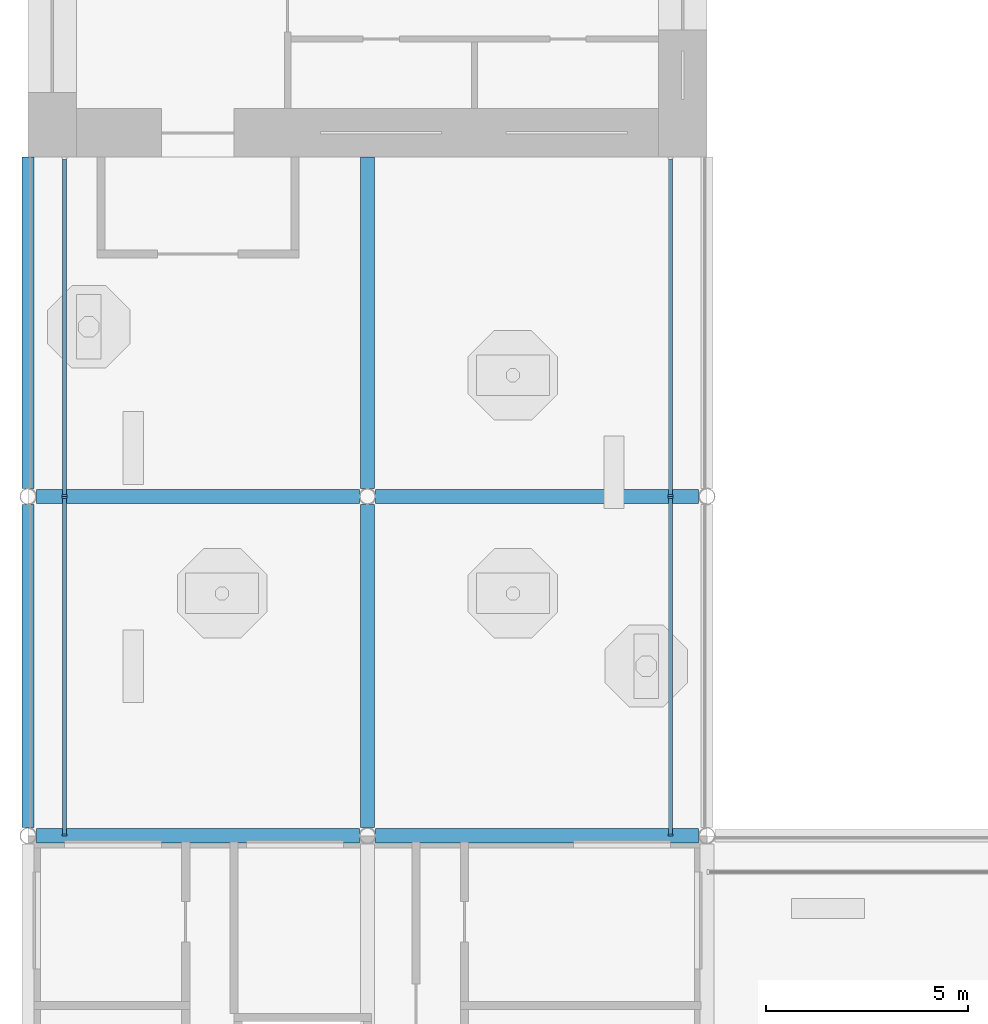
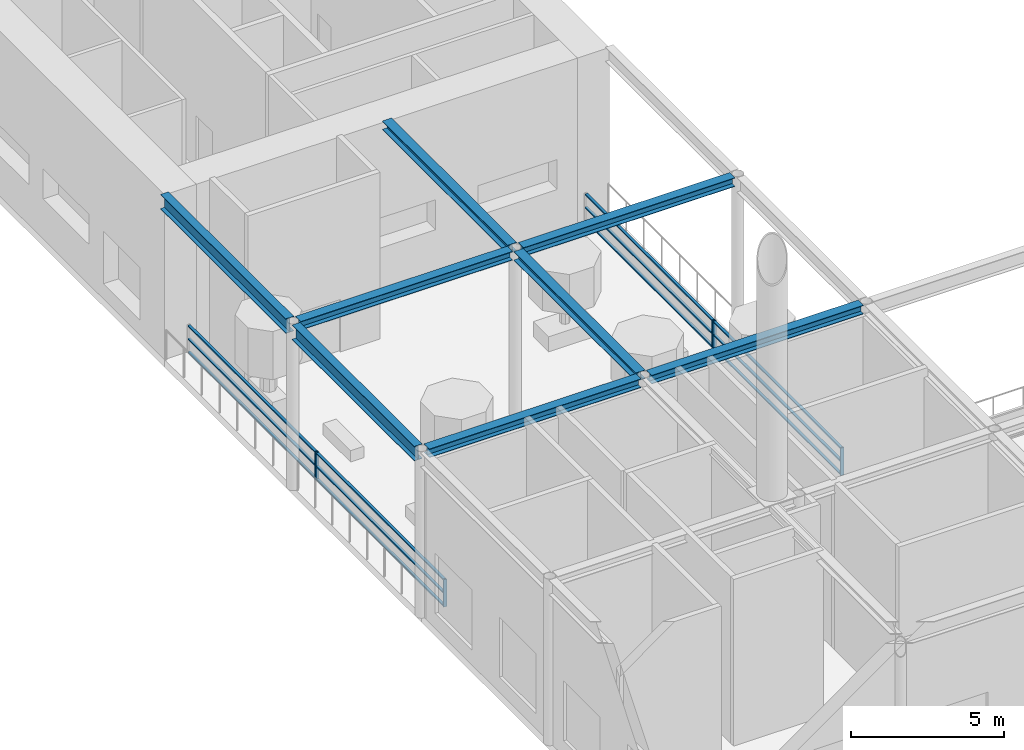
# One storey, part 3 of 15: 18 members, 8 beams, 4 elements without a shape of their own.
"""IFC4 building model written with IfcOpenShell, lengths in metres."""

from ifc_helpers import new_model, si_unit, direction, frame, origin, origin_2d, place, context, subcontext, project, spatial, rectangle, i_section, extrude, material, material_profile, profile_set, type_object, element, aggregate, save


model = new_model("IFC4")

# Units and contexts
model_context = context("Model", 3, precision=1e-05, world=origin(), true_north=direction((0.0, 1.0)))
body_context = subcontext(model_context, "Body", "Model", "MODEL_VIEW")
ifc_project = project(units=[si_unit("LENGTHUNIT", "METRE"), si_unit("AREAUNIT", "SQUARE_METRE"), si_unit("VOLUMEUNIT", "CUBIC_METRE"), si_unit("PLANEANGLEUNIT", "RADIAN"), si_unit("MASSUNIT", "GRAM", prefix="KILO")], contexts=[model_context])

# Site, building, storey
site_placement = place(None, origin())
site = spatial("IfcSite", under=ifc_project, at=site_placement, CompositionType="ELEMENT")
building_placement = place(site_placement, origin())
building = spatial("IfcBuilding", under=site, at=building_placement, Name="Vermilion Gate Residences", CompositionType="ELEMENT")
storey_placement = place(building_placement, frame((0.0, 0.0, 277.199951171875)))
storey = spatial("IfcBuildingStorey", under=building, at=storey_placement, Name="L73", CompositionType="ELEMENT", Elevation=277.199951171875)

# Curtain wall, members
ifc_material_1 = material(Name="Aluminium and glass", Category="aluminium")
curtain_wall_type = type_object("IfcCurtainWallType", Name="CROWN LOOKOUT GLASS CURTAIN WALL", PredefinedType="NOTDEFINED", material=ifc_material_1)
curtain_wall_1_placement = place(storey_placement, origin())
curtain_wall_1 = element("IfcCurtainWall", 1, at=curtain_wall_1_placement, inside=storey, type_object=curtain_wall_type, Name="Crown Lookout Glass 4", PredefinedType="NOTDEFINED")
ifc_material_2 = material(Name="Aluminium", Category="aluminium")
ifc_material_profile_1 = material_profile(ifc_material_2, rectangle(XDim=0.1201171875, YDim=0.050048828125, at=origin_2d()), Name="MULLION 50 X 120")
ifc_profile_set_1 = profile_set([ifc_material_profile_1], Name="Aluminium")
member_type_1 = type_object("IfcMemberType", Name="CROWN LOOKOUT GLASS MULLION 50 X 120", PredefinedType="MULLION", material=ifc_profile_set_1)
member_1_placement = place(storey_placement, frame((24.300048828125, 25.22509765625, 0.0), z_axis=(0.0, 0.0, 1.0), x_axis=(-1.0, 0.0, 0.0)))
member_1 = element("IfcMember", 2, at=member_1_placement, type_object=member_type_1, Name="ECW4 mullion 1", PredefinedType="MULLION", context=body_context, shape_type="SweptSolid", body=[
    extrude(rectangle(XDim=0.1201171875, YDim=0.050048828125, at=origin_2d()), origin(), (0.0, 0.0, 1.0), 1.10009765625),
])
member_2_placement = place(storey_placement, frame((24.300048828125, 33.574951171875, 0.0), z_axis=(0.0, 0.0, 1.0), x_axis=(-1.0, 0.0, 0.0)))
member_2 = element("IfcMember", 3, at=member_2_placement, type_object=member_type_1, Name="ECW4 mullion 2", PredefinedType="MULLION", context=body_context, shape_type="SweptSolid", body=[
    extrude(rectangle(XDim=0.1201171875, YDim=0.050048828125, at=origin_2d()), origin(), (0.0, 0.0, 1.0), 1.10009765625),
])

# Curtain wall, member
curtain_wall_2_placement = place(storey_placement, origin())
curtain_wall_2 = element("IfcCurtainWall", 4, at=curtain_wall_2_placement, inside=storey, type_object=curtain_wall_type, Name="Crown Lookout Glass 5", PredefinedType="NOTDEFINED")
member_3_placement = place(storey_placement, frame((24.300048828125, 33.625, 0.0), z_axis=(0.0, 0.0, 1.0), x_axis=(-1.0, 0.0, 0.0)))
member_3 = element("IfcMember", 5, at=member_3_placement, type_object=member_type_1, Name="ECW4 mullion 1", PredefinedType="MULLION", context=body_context, shape_type="SweptSolid", body=[
    extrude(rectangle(XDim=0.1201171875, YDim=0.050048828125, at=origin_2d()), origin(), (0.0, 0.0, 1.0), 1.10009765625),
])

curtain_wall_3_placement = place(storey_placement, origin())
curtain_wall_3 = element("IfcCurtainWall", 6, at=curtain_wall_3_placement, inside=storey, type_object=curtain_wall_type, Name="Crown Lookout Glass 6", PredefinedType="NOTDEFINED")
member_4_placement = place(storey_placement, frame((9.300048828125, 33.625, 0.0), z_axis=(0.0, 0.0, 1.0), x_axis=(1.0, 0.0, 0.0)))
member_4 = element("IfcMember", 7, at=member_4_placement, type_object=member_type_1, Name="ECW4 mullion 2", PredefinedType="MULLION", context=body_context, shape_type="SweptSolid", body=[
    extrude(rectangle(XDim=0.1201171875, YDim=0.050048828125, at=origin_2d()), origin(), (0.0, 0.0, 1.0), 1.10009765625),
])

# Curtain wall, members
curtain_wall_4_placement = place(storey_placement, origin())
curtain_wall_4 = element("IfcCurtainWall", 8, at=curtain_wall_4_placement, inside=storey, type_object=curtain_wall_type, Name="Crown Lookout Glass 7", PredefinedType="NOTDEFINED")
member_5_placement = place(storey_placement, frame((9.300048828125, 33.574951171875, 0.0), z_axis=(0.0, 0.0, 1.0), x_axis=(1.0, 0.0, 0.0)))
member_5 = element("IfcMember", 9, at=member_5_placement, type_object=member_type_1, Name="ECW4 mullion 1", PredefinedType="MULLION", context=body_context, shape_type="SweptSolid", body=[
    extrude(rectangle(XDim=0.1201171875, YDim=0.050048828125, at=origin_2d()), origin(), (0.0, 0.0, 1.0), 1.10009765625),
])
member_6_placement = place(storey_placement, frame((9.300048828125, 25.22509765625, 0.0), z_axis=(0.0, 0.0, 1.0), x_axis=(1.0, 0.0, 0.0)))
member_6 = element("IfcMember", 10, at=member_6_placement, type_object=member_type_1, Name="ECW4 mullion 2", PredefinedType="MULLION", context=body_context, shape_type="SweptSolid", body=[
    extrude(rectangle(XDim=0.1201171875, YDim=0.050048828125, at=origin_2d()), origin(), (0.0, 0.0, 1.0), 1.10009765625),
])

# Member
ifc_material_3 = material(Name="Aluminium", Category="aluminium")
ifc_material_profile_2 = material_profile(ifc_material_3, rectangle(XDim=0.10009765625, YDim=0.050048828125, at=origin_2d()), Name="TRANSOM 50 X 100")
ifc_profile_set_2 = profile_set([ifc_material_profile_2], Name="Aluminium")
member_type_2 = type_object("IfcMemberType", Name="CROWN LOOKOUT GLASS TRANSOM 50 X 100", PredefinedType="MULLION", material=ifc_profile_set_2)
member_7_placement = place(storey_placement, frame((24.300048828125, 25.25, 0.025146484375), z_axis=(0.0, 1.0, 0.0), x_axis=(-1.0, 0.0, 0.0)))
member_7 = element("IfcMember", 11, at=member_7_placement, type_object=member_type_2, Name="ECW4 transom 1.1", PredefinedType="MULLION", context=body_context, shape_type="SweptSolid", body=[
    extrude(rectangle(XDim=0.10009765625, YDim=0.050048828125, at=origin_2d()), origin(), (0.0, 0.0, 1.0), 8.300048828125),
])

member_8_placement = place(storey_placement, frame((24.300048828125, 25.25, 0.550048828125), z_axis=(0.0, 1.0, 0.0), x_axis=(-1.0, 0.0, 0.0)))
member_8 = element("IfcMember", 12, at=member_8_placement, type_object=member_type_2, Name="ECW4 transom 1.2", PredefinedType="MULLION", context=body_context, shape_type="SweptSolid", body=[
    extrude(rectangle(XDim=0.10009765625, YDim=0.050048828125, at=origin_2d()), origin(), (0.0, 0.0, 1.0), 8.300048828125),
])

member_9_placement = place(storey_placement, frame((24.300048828125, 25.25, 1.074951171875), z_axis=(0.0, 1.0, 0.0), x_axis=(-1.0, 0.0, 0.0)))
member_9 = element("IfcMember", 13, at=member_9_placement, type_object=member_type_2, Name="ECW4 transom 1.3", PredefinedType="MULLION", context=body_context, shape_type="SweptSolid", body=[
    extrude(rectangle(XDim=0.10009765625, YDim=0.050048828125, at=origin_2d()), origin(), (0.0, 0.0, 1.0), 8.300048828125),
])

aggregate(curtain_wall_1, [member_1, member_2, member_7, member_8, member_9])

member_10_placement = place(storey_placement, frame((24.300048828125, 33.64990234375, 0.025146484375), z_axis=(0.0, 1.0, 0.0), x_axis=(-1.0, 0.0, 0.0)))
member_10 = element("IfcMember", 14, at=member_10_placement, type_object=member_type_2, Name="ECW4 transom 1.1", PredefinedType="MULLION", context=body_context, shape_type="SweptSolid", body=[
    extrude(rectangle(XDim=0.10009765625, YDim=0.050048828125, at=origin_2d()), origin(), (0.0, 0.0, 1.0), 8.300048828125),
])

member_11_placement = place(storey_placement, frame((24.300048828125, 33.64990234375, 0.550048828125), z_axis=(0.0, 1.0, 0.0), x_axis=(-1.0, 0.0, 0.0)))
member_11 = element("IfcMember", 15, at=member_11_placement, type_object=member_type_2, Name="ECW4 transom 1.2", PredefinedType="MULLION", context=body_context, shape_type="SweptSolid", body=[
    extrude(rectangle(XDim=0.10009765625, YDim=0.050048828125, at=origin_2d()), origin(), (0.0, 0.0, 1.0), 8.300048828125),
])

member_12_placement = place(storey_placement, frame((24.300048828125, 33.64990234375, 1.074951171875), z_axis=(0.0, 1.0, 0.0), x_axis=(-1.0, 0.0, 0.0)))
member_12 = element("IfcMember", 16, at=member_12_placement, type_object=member_type_2, Name="ECW4 transom 1.3", PredefinedType="MULLION", context=body_context, shape_type="SweptSolid", body=[
    extrude(rectangle(XDim=0.10009765625, YDim=0.050048828125, at=origin_2d()), origin(), (0.0, 0.0, 1.0), 8.300048828125),
])

aggregate(curtain_wall_2, [member_3, member_10, member_11, member_12])

member_13_placement = place(storey_placement, frame((9.300048828125, 41.949951171875, 0.025146484375), z_axis=(0.0, -1.0, 0.0), x_axis=(1.0, 0.0, 0.0)))
member_13 = element("IfcMember", 17, at=member_13_placement, type_object=member_type_2, Name="ECW4 transom 1.1", PredefinedType="MULLION", context=body_context, shape_type="SweptSolid", body=[
    extrude(rectangle(XDim=0.10009765625, YDim=0.050048828125, at=origin_2d()), origin(), (0.0, 0.0, 1.0), 8.300048828125),
])

member_14_placement = place(storey_placement, frame((9.300048828125, 41.949951171875, 0.550048828125), z_axis=(0.0, -1.0, 0.0), x_axis=(1.0, 0.0, 0.0)))
member_14 = element("IfcMember", 18, at=member_14_placement, type_object=member_type_2, Name="ECW4 transom 1.2", PredefinedType="MULLION", context=body_context, shape_type="SweptSolid", body=[
    extrude(rectangle(XDim=0.10009765625, YDim=0.050048828125, at=origin_2d()), origin(), (0.0, 0.0, 1.0), 8.300048828125),
])

member_15_placement = place(storey_placement, frame((9.300048828125, 41.949951171875, 1.074951171875), z_axis=(0.0, -1.0, 0.0), x_axis=(1.0, 0.0, 0.0)))
member_15 = element("IfcMember", 19, at=member_15_placement, type_object=member_type_2, Name="ECW4 transom 1.3", PredefinedType="MULLION", context=body_context, shape_type="SweptSolid", body=[
    extrude(rectangle(XDim=0.10009765625, YDim=0.050048828125, at=origin_2d()), origin(), (0.0, 0.0, 1.0), 8.300048828125),
])

aggregate(curtain_wall_3, [member_4, member_13, member_14, member_15])

member_16_placement = place(storey_placement, frame((9.300048828125, 33.550048828125, 0.025146484375), z_axis=(0.0, -1.0, 0.0), x_axis=(1.0, 0.0, 0.0)))
member_16 = element("IfcMember", 20, at=member_16_placement, type_object=member_type_2, Name="ECW4 transom 1.1", PredefinedType="MULLION", context=body_context, shape_type="SweptSolid", body=[
    extrude(rectangle(XDim=0.10009765625, YDim=0.050048828125, at=origin_2d()), origin(), (0.0, 0.0, 1.0), 8.300048828125),
])

member_17_placement = place(storey_placement, frame((9.300048828125, 33.550048828125, 0.550048828125), z_axis=(0.0, -1.0, 0.0), x_axis=(1.0, 0.0, 0.0)))
member_17 = element("IfcMember", 21, at=member_17_placement, type_object=member_type_2, Name="ECW4 transom 1.2", PredefinedType="MULLION", context=body_context, shape_type="SweptSolid", body=[
    extrude(rectangle(XDim=0.10009765625, YDim=0.050048828125, at=origin_2d()), origin(), (0.0, 0.0, 1.0), 8.300048828125),
])

member_18_placement = place(storey_placement, frame((9.300048828125, 33.550048828125, 1.074951171875), z_axis=(0.0, -1.0, 0.0), x_axis=(1.0, 0.0, 0.0)))
member_18 = element("IfcMember", 22, at=member_18_placement, type_object=member_type_2, Name="ECW4 transom 1.3", PredefinedType="MULLION", context=body_context, shape_type="SweptSolid", body=[
    extrude(rectangle(XDim=0.10009765625, YDim=0.050048828125, at=origin_2d()), origin(), (0.0, 0.0, 1.0), 8.300048828125),
])

aggregate(curtain_wall_4, [member_5, member_6, member_16, member_17, member_18])

# Beams
ifc_material_4 = material(Name="Steel SM355", Category="steel")
ifc_material_profile_3 = material_profile(ifc_material_4, i_section(OverallWidth=0.35009765625, OverallDepth=0.35009765625, WebThickness=0.011962890625, FlangeThickness=0.01904296875, at=origin_2d()), Name="H-350x350x12x19")
ifc_profile_set_3 = profile_set([ifc_material_profile_3], Name="Steel SM355")
beam_type_1 = type_object("IfcBeamType", Name="STEEL CANOPY BEAM H-350x350x12x19 SM355", PredefinedType="BEAM", material=ifc_profile_set_3)
for number, where, z_axis, x_axis, name in (
    (23, (8.603271484375, 25.199951171875, 6.47509765625), (1.0, 0.0, 0.0), (0.0, 1.0, 0.0), "Canopy beam 3"),
    (24, (8.603271484375, 33.60009765625, 6.47509765625), (1.0, 0.0, 0.0), (0.0, 1.0, 0.0), "Canopy beam 5"),
    (25, (16.800048828125, 25.4033203125, 6.47509765625), (0.0, 1.0, 0.0), (-1.0, 0.0, 0.0), "Canopy beam 6"),
):
    element("IfcBeam", number, at=place(storey_placement, frame(where, z_axis=z_axis, x_axis=x_axis)), inside=storey, type_object=beam_type_1, Name=name, PredefinedType="BEAM", context=body_context, shape_type="SweptSolid", body=[
        extrude(i_section(OverallWidth=0.35009765625, OverallDepth=0.35009765625, WebThickness=0.011962890625, FlangeThickness=0.01904296875, at=origin_2d()), origin(), (0.0, 0.0, 1.0), 7.993408203125),
    ])
beam_1_placement = place(storey_placement, frame((16.800048828125, 33.80322265625, 6.47509765625), z_axis=(0.0, 1.0, 0.0), x_axis=(-1.0, 0.0, 0.0)))
element("IfcBeam", 26, at=beam_1_placement, inside=storey, type_object=beam_type_1, Name="Canopy beam 7", PredefinedType="BEAM", context=body_context, shape_type="SweptSolid", body=[
    extrude(i_section(OverallWidth=0.35009765625, OverallDepth=0.35009765625, WebThickness=0.011962890625, FlangeThickness=0.01904296875, at=origin_2d()), origin(), (0.0, 0.0, 1.0), 8.19677734375),
])
for number, where, z_axis, x_axis, name in (
    (27, (17.003173828125, 25.199951171875, 6.47509765625), (1.0, 0.0, 0.0), (0.0, 1.0, 0.0), "Canopy beam 10"),
    (28, (17.003173828125, 33.60009765625, 6.47509765625), (1.0, 0.0, 0.0), (0.0, 1.0, 0.0), "Canopy beam 12"),
):
    element("IfcBeam", number, at=place(storey_placement, frame(where, z_axis=z_axis, x_axis=x_axis)), inside=storey, type_object=beam_type_1, Name=name, PredefinedType="BEAM", context=body_context, shape_type="SweptSolid", body=[
        extrude(i_section(OverallWidth=0.35009765625, OverallDepth=0.35009765625, WebThickness=0.011962890625, FlangeThickness=0.01904296875, at=origin_2d()), origin(), (0.0, 0.0, 1.0), 7.99365234375),
    ])
ifc_material_5 = material(Name="Steel SM355", Category="steel")
ifc_material_profile_4 = material_profile(ifc_material_5, i_section(OverallWidth=0.300048828125, OverallDepth=0.587890625, WebThickness=0.011962890625, FlangeThickness=0.02001953125, at=origin_2d()), Name="H-588x300x12x20")
ifc_profile_set_4 = profile_set([ifc_material_profile_4], Name="Steel SM355")
beam_type_2 = type_object("IfcBeamType", Name="STEEL RING BEAM H-588x300x12x20 SM355", PredefinedType="BEAM", material=ifc_profile_set_4)
beam_2_placement = place(storey_placement, frame((8.39990234375, 25.4033203125, 6.35595703125), z_axis=(0.0, 1.0, 0.0), x_axis=(-1.0, 0.0, 0.0)))
element("IfcBeam", 29, at=beam_2_placement, inside=storey, type_object=beam_type_2, Name="Crown frame ring beam 4", PredefinedType="BEAM", context=body_context, shape_type="SweptSolid", body=[
    extrude(i_section(OverallWidth=0.300048828125, OverallDepth=0.587890625, WebThickness=0.011962890625, FlangeThickness=0.02001953125, at=origin_2d()), origin(), (0.0, 0.0, 1.0), 7.993408203125),
])
beam_3_placement = place(storey_placement, frame((8.39990234375, 33.80322265625, 6.35595703125), z_axis=(0.0, 1.0, 0.0), x_axis=(-1.0, 0.0, 0.0)))
element("IfcBeam", 30, at=beam_3_placement, inside=storey, type_object=beam_type_2, Name="Crown frame ring beam 5", PredefinedType="BEAM", context=body_context, shape_type="SweptSolid", body=[
    extrude(i_section(OverallWidth=0.300048828125, OverallDepth=0.587890625, WebThickness=0.011962890625, FlangeThickness=0.02001953125, at=origin_2d()), origin(), (0.0, 0.0, 1.0), 8.19677734375),
])

save(model, "model.ifc")
